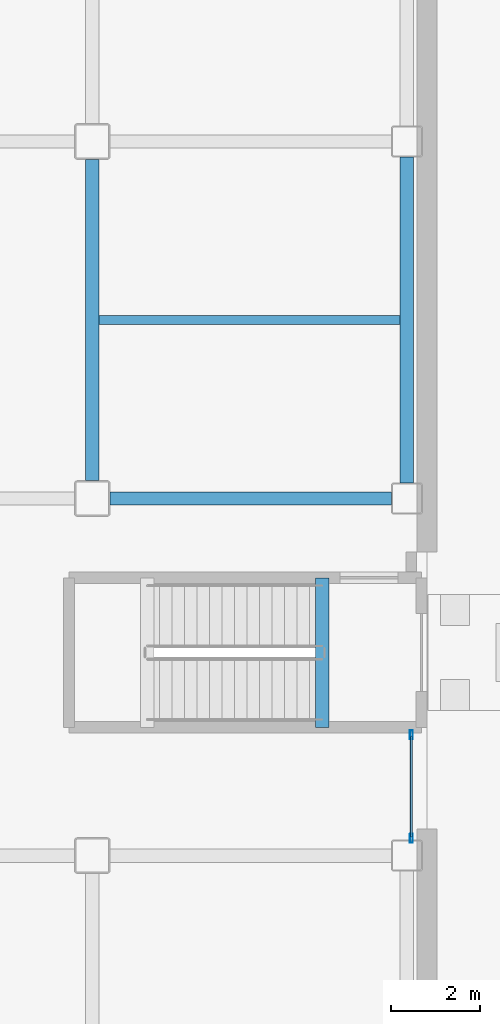
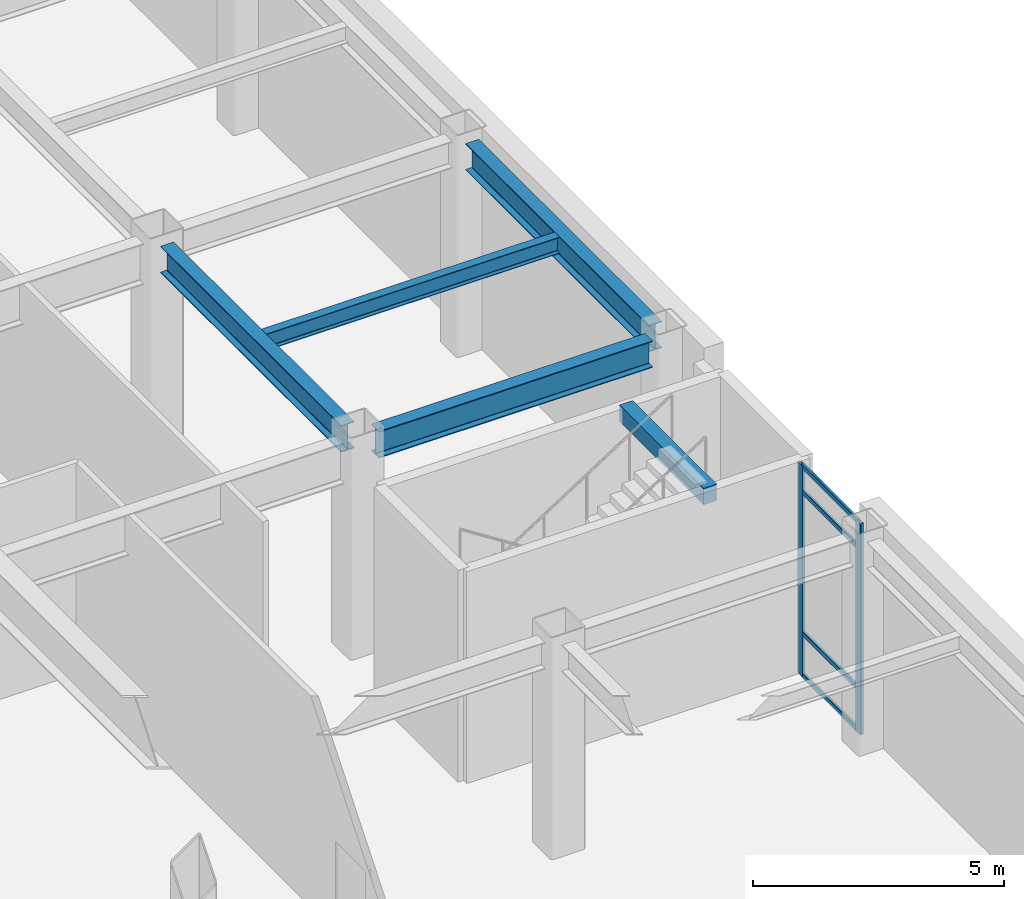
# One storey, part 91 of 165: 6 members, 5 beams, 1 element without a shape of its own.
"""IFC4 building model written with IfcOpenShell, lengths in metres."""

from ifc_helpers import new_model, si_unit, direction, frame, origin, origin_2d, place, context, subcontext, project, spatial, rectangle, hollow_rectangle, i_section, extrude, material, layer, layer_set, material_profile, profile_set, type_object, element, aggregate, save


model = new_model("IFC4")

# Units and contexts
model_context = context("Model", 3, precision=1e-05, world=origin(), true_north=direction((0.0, 1.0)))
body_context = subcontext(model_context, "Body", "Model", "MODEL_VIEW")
ifc_project = project(units=[si_unit("LENGTHUNIT", "METRE"), si_unit("AREAUNIT", "SQUARE_METRE"), si_unit("VOLUMEUNIT", "CUBIC_METRE"), si_unit("PLANEANGLEUNIT", "RADIAN"), si_unit("MASSUNIT", "GRAM", prefix="KILO")], contexts=[model_context])

# Site, building, storey
site_placement = place(None, origin())
site = spatial("IfcSite", under=ifc_project, at=site_placement, CompositionType="ELEMENT")
building_placement = place(site_placement, origin())
building = spatial("IfcBuilding", under=site, at=building_placement, Name="Kazehara Bluff Congress Hotel", CompositionType="ELEMENT")
storey_placement = place(building_placement, origin())
storey = spatial("IfcBuildingStorey", under=building, at=storey_placement, Name="L00", CompositionType="ELEMENT", Elevation=0.0)

# Curtain wall, members
ifc_material_1 = material(Name="Anodised aluminium", Category="aluminium")
ifc_layer = layer(ifc_material_1, 0.159912109375)
ifc_layer_set = layer_set([ifc_layer], Name="Anodised aluminium")
curtain_wall_type = type_object("IfcCurtainWallType", Name="TP-CW-100", PredefinedType="NOTDEFINED", material=ifc_layer_set)
curtain_wall_placement = place(storey_placement, origin())
curtain_wall = element("IfcCurtainWall", 1, at=curtain_wall_placement, inside=storey, type_object=curtain_wall_type, Name="L00 curtain wall CW-100 CW-ENC-V5-L00-16765-1755", PredefinedType="NOTDEFINED")
ifc_material_2 = material(Name="Anodised aluminium", Category="aluminium")
ifc_material_profile_1 = material_profile(ifc_material_2, hollow_rectangle(XDim=0.070068359375, YDim=0.199951171875, WallThickness=0.0048828125, InnerFilletRadius=0.0048828125, OuterFilletRadius=0.010009765625, at=origin_2d()))
ifc_profile_set_1 = profile_set([ifc_material_profile_1], Name="Anodised aluminium")
member_type_1 = type_object("IfcMemberType", Name="TP-CWM-03", PredefinedType="MULLION", material=ifc_profile_set_1)
member_1_placement = place(storey_placement, frame((167.64990234375, 18.705078125, 0.0), z_axis=(0.0, 0.0, 1.0), x_axis=(1.0, 0.0, 0.0)))
member_1 = element("IfcMember", 2, at=member_1_placement, type_object=member_type_1, Name="CW-100 mullion 1", PredefinedType="MULLION", context=body_context, shape_type="SweptSolid", body=[
    extrude(hollow_rectangle(XDim=0.070068359375, YDim=0.199951171875, WallThickness=0.0048828125, InnerFilletRadius=0.0048828125, OuterFilletRadius=0.010009765625, at=origin_2d()), origin(), (0.0, 0.0, 1.0), 5.135009765625),
])
member_2_placement = place(storey_placement, frame((167.64990234375, 16.385009765625, 0.0), z_axis=(0.0, 0.0, 1.0), x_axis=(1.0, 0.0, 0.0)))
member_2 = element("IfcMember", 3, at=member_2_placement, type_object=member_type_1, Name="CW-100 mullion 2", PredefinedType="MULLION", context=body_context, shape_type="SweptSolid", body=[
    extrude(hollow_rectangle(XDim=0.070068359375, YDim=0.199951171875, WallThickness=0.0048828125, InnerFilletRadius=0.0048828125, OuterFilletRadius=0.010009765625, at=origin_2d()), origin(), (0.0, 0.0, 1.0), 5.135009765625),
])
ifc_material_3 = material(Name="Anodised aluminium", Category="aluminium")
ifc_material_profile_2 = material_profile(ifc_material_3, hollow_rectangle(XDim=0.06005859375, YDim=0.1201171875, WallThickness=0.00390625, InnerFilletRadius=0.00390625, OuterFilletRadius=0.008056640625, at=origin_2d()))
ifc_profile_set_2 = profile_set([ifc_material_profile_2], Name="Anodised aluminium")
member_type_2 = type_object("IfcMemberType", Name="TP-CWT-01", PredefinedType="USERDEFINED", material=ifc_profile_set_2)
member_3_placement = place(storey_placement, frame((167.64990234375, 18.669921875, 0.030029296875), z_axis=(0.0, -1.0, 0.0), x_axis=(1.0, 0.0, 0.0)))
member_3 = element("IfcMember", 4, at=member_3_placement, type_object=member_type_2, Name="CW-100 transom 1.1", ObjectType="TRANSOM", PredefinedType="USERDEFINED", context=body_context, shape_type="SweptSolid", body=[
    extrude(hollow_rectangle(XDim=0.06005859375, YDim=0.1201171875, WallThickness=0.00390625, InnerFilletRadius=0.00390625, OuterFilletRadius=0.008056640625, at=origin_2d()), origin(), (0.0, 0.0, 1.0), 2.25),
])
member_4_placement = place(storey_placement, frame((167.64990234375, 18.669921875, 1.050048828125), z_axis=(0.0, -1.0, 0.0), x_axis=(1.0, 0.0, 0.0)))
member_4 = element("IfcMember", 5, at=member_4_placement, type_object=member_type_2, Name="CW-100 transom 1.2", ObjectType="TRANSOM", PredefinedType="USERDEFINED", context=body_context, shape_type="SweptSolid", body=[
    extrude(hollow_rectangle(XDim=0.06005859375, YDim=0.1201171875, WallThickness=0.00390625, InnerFilletRadius=0.00390625, OuterFilletRadius=0.008056640625, at=origin_2d()), origin(), (0.0, 0.0, 1.0), 2.25),
])
member_5_placement = place(storey_placement, frame((167.64990234375, 18.669921875, 4.485107421875), z_axis=(0.0, -1.0, 0.0), x_axis=(1.0, 0.0, 0.0)))
member_5 = element("IfcMember", 6, at=member_5_placement, type_object=member_type_2, Name="CW-100 transom 1.3", ObjectType="TRANSOM", PredefinedType="USERDEFINED", context=body_context, shape_type="SweptSolid", body=[
    extrude(hollow_rectangle(XDim=0.06005859375, YDim=0.1201171875, WallThickness=0.00390625, InnerFilletRadius=0.00390625, OuterFilletRadius=0.008056640625, at=origin_2d()), origin(), (0.0, 0.0, 1.0), 2.25),
])
member_6_placement = place(storey_placement, frame((167.64990234375, 18.669921875, 5.10498046875), z_axis=(0.0, -1.0, 0.0), x_axis=(1.0, 0.0, 0.0)))
member_6 = element("IfcMember", 7, at=member_6_placement, type_object=member_type_2, Name="CW-100 transom 1.4", ObjectType="TRANSOM", PredefinedType="USERDEFINED", context=body_context, shape_type="SweptSolid", body=[
    extrude(hollow_rectangle(XDim=0.06005859375, YDim=0.1201171875, WallThickness=0.00390625, InnerFilletRadius=0.00390625, OuterFilletRadius=0.008056640625, at=origin_2d()), origin(), (0.0, 0.0, 1.0), 2.25),
])
aggregate(curtain_wall, [member_1, member_2, member_3, member_4, member_5, member_6])

# Beams
ifc_material_4 = material(Name="Steel SN490B", Category="steel")
ifc_material_profile_3 = material_profile(ifc_material_4, i_section(OverallWidth=0.300048828125, OverallDepth=0.64990234375, WebThickness=0.011962890625, FlangeThickness=0.02001953125, FilletRadius=0.012939453125, at=origin_2d()))
ifc_profile_set_3 = profile_set([ifc_material_profile_3], Name="Steel SN490B")
beam_type_1 = type_object("IfcBeamType", Name="TP-G-03", PredefinedType="BEAM", material=ifc_profile_set_3)
beam_1_placement = place(storey_placement, frame((160.5, 24.39990234375, 4.824951171875), z_axis=(0.0, 1.0, 0.0), x_axis=(-1.0, 0.0, 0.0)))
element("IfcBeam", 8, at=beam_1_placement, inside=storey, type_object=beam_type_1, Name="L00 girder G-03 251", PredefinedType="BEAM", context=body_context, shape_type="SweptSolid", body=[
    extrude(i_section(OverallWidth=0.300048828125, OverallDepth=0.64990234375, WebThickness=0.011962890625, FlangeThickness=0.02001953125, FilletRadius=0.012939453125, at=origin_2d()), origin(), (0.0, 0.0, 1.0), 7.2001953125),
])
beam_2_placement = place(storey_placement, frame((167.550048828125, 24.35009765625, 4.824951171875), z_axis=(0.0, 1.0, 0.0), x_axis=(-1.0, 0.0, 0.0)))
element("IfcBeam", 9, at=beam_2_placement, inside=storey, type_object=beam_type_1, Name="L00 girder G-03 262", PredefinedType="BEAM", context=body_context, shape_type="SweptSolid", body=[
    extrude(i_section(OverallWidth=0.300048828125, OverallDepth=0.64990234375, WebThickness=0.011962890625, FlangeThickness=0.02001953125, FilletRadius=0.012939453125, at=origin_2d()), origin(), (0.0, 0.0, 1.0), 7.2998046875),
])
beam_3_placement = place(storey_placement, frame((160.89990234375, 24.0, 4.824951171875), z_axis=(1.0, 0.0, 0.0), x_axis=(0.0, 1.0, 0.0)))
element("IfcBeam", 10, at=beam_3_placement, inside=storey, type_object=beam_type_1, Name="L00 girder G-03 289", PredefinedType="BEAM", context=body_context, shape_type="SweptSolid", body=[
    extrude(i_section(OverallWidth=0.300048828125, OverallDepth=0.64990234375, WebThickness=0.011962890625, FlangeThickness=0.02001953125, FilletRadius=0.012939453125, at=origin_2d()), origin(), (0.0, 0.0, 1.0), 6.300048828125),
])
ifc_material_5 = material(Name="Steel SN400B", Category="steel")
ifc_material_profile_4 = material_profile(ifc_material_5, i_section(OverallWidth=0.199951171875, OverallDepth=0.39990234375, WebThickness=0.008056640625, FlangeThickness=0.012939453125, FilletRadius=0.012939453125, at=origin_2d()))
ifc_profile_set_4 = profile_set([ifc_material_profile_4], Name="Steel SN400B")
beam_type_2 = type_object("IfcBeamType", Name="TP-J-03", PredefinedType="JOIST", material=ifc_profile_set_4)
beam_4_placement = place(storey_placement, frame((160.64990234375, 28.0, 4.949951171875), z_axis=(1.0, 0.0, 0.0), x_axis=(0.0, 1.0, 0.0)))
element("IfcBeam", 11, at=beam_4_placement, inside=storey, type_object=beam_type_2, Name="L00 secondary joist J-03 71", PredefinedType="JOIST", context=body_context, shape_type="SweptSolid", body=[
    extrude(i_section(OverallWidth=0.199951171875, OverallDepth=0.39990234375, WebThickness=0.008056640625, FlangeThickness=0.012939453125, FilletRadius=0.012939453125, at=origin_2d()), origin(), (0.0, 0.0, 1.0), 6.75),
])
ifc_material_6 = material(Name="Concrete C40/50", Category="concrete")
ifc_material_profile_5 = material_profile(ifc_material_6, rectangle(XDim=0.300048828125, YDim=0.39990234375, at=origin_2d()))
ifc_profile_set_5 = profile_set([ifc_material_profile_5], Name="Concrete C40/50")
beam_type_3 = type_object("IfcBeamType", Name="TP-LN-02", PredefinedType="LINTEL", material=ifc_profile_set_5)
beam_5_placement = place(storey_placement, frame((165.64990234375, 22.22509765625, 4.969970703125), z_axis=(0.0, -1.0, 0.0), x_axis=(1.0, 0.0, 0.0)))
element("IfcBeam", 12, at=beam_5_placement, inside=storey, type_object=beam_type_3, Name="L01 ST-10 stairwell trimmer beam", PredefinedType="LINTEL", context=body_context, shape_type="SweptSolid", body=[
    extrude(rectangle(XDim=0.300048828125, YDim=0.39990234375, at=origin_2d()), origin(), (0.0, 0.0, 1.0), 3.35009765625),
])

save(model, "model.ifc")
